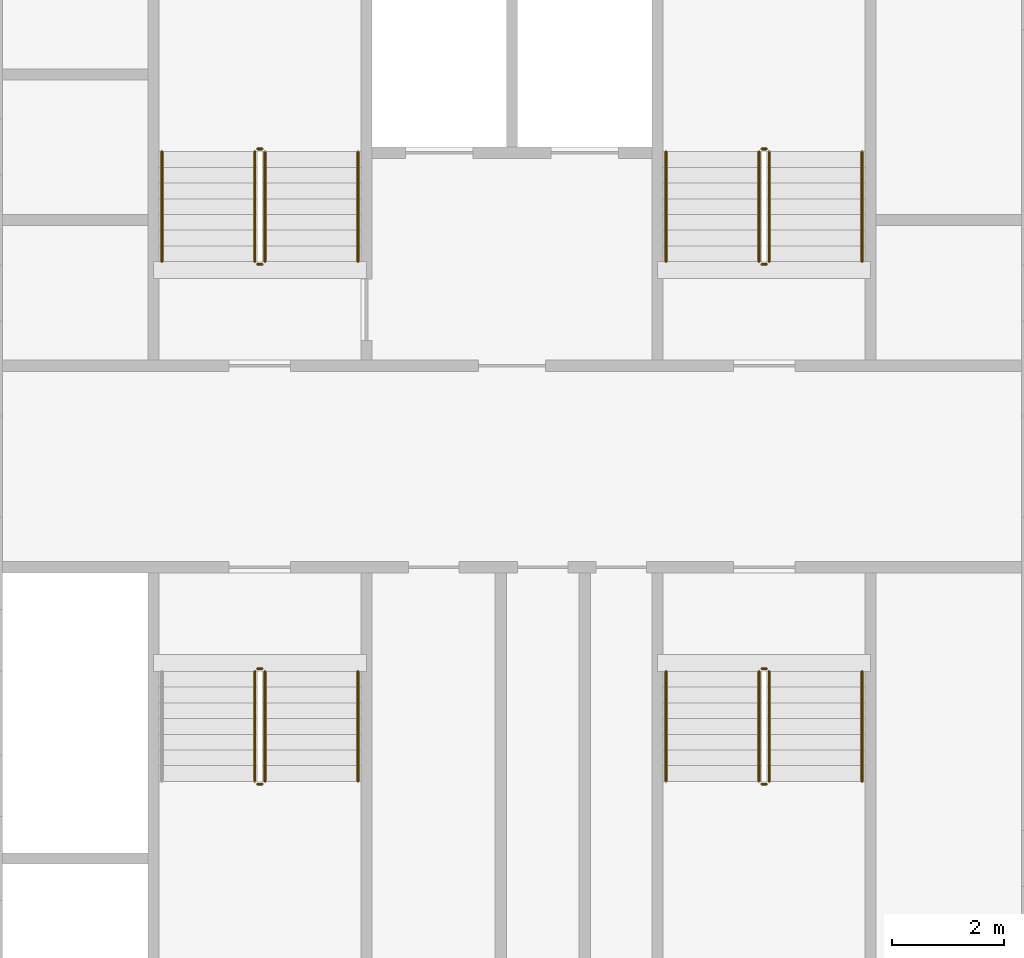
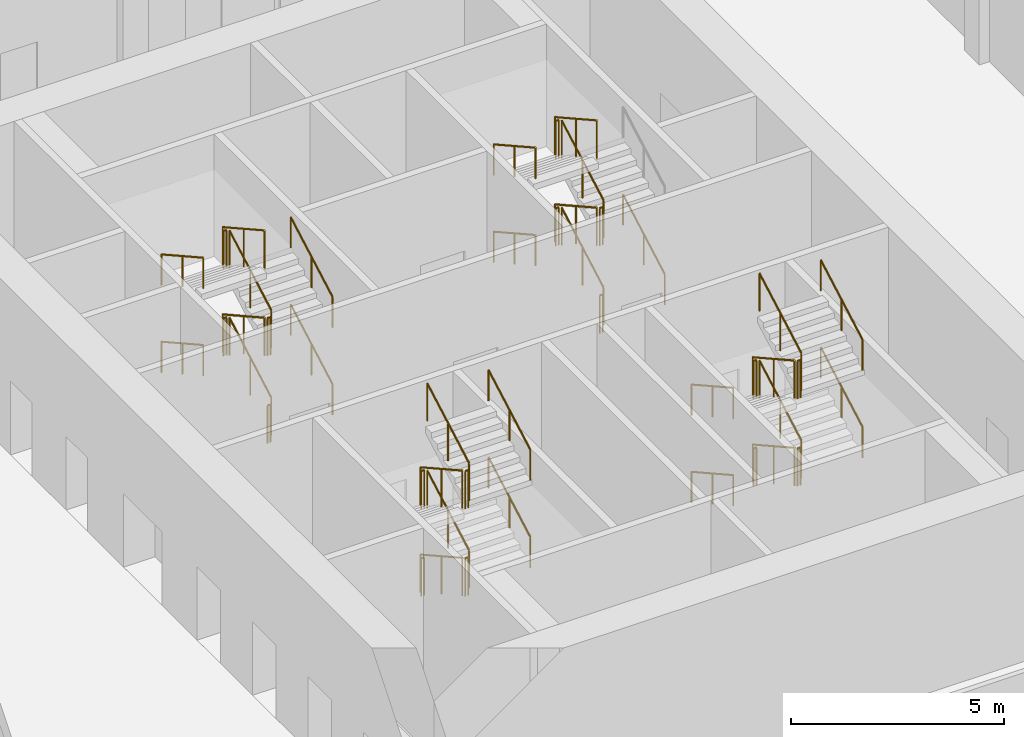
# One storey, part 20 of 22: 45 railings.
"""IFC4 building model written with IfcOpenShell, lengths in metres."""

from ifc_helpers import new_model, si_unit, direction, frame, origin, origin_2d, place, context, subcontext, project, spatial, circle, extrude, material, type_object, element, save


model = new_model("IFC4")

# Units and contexts
model_context = context("Model", 3, precision=1e-05, world=origin(), true_north=direction((0.0, 1.0)))
body_context = subcontext(model_context, "Body", "Model", "MODEL_VIEW")
ifc_project = project(units=[si_unit("LENGTHUNIT", "METRE"), si_unit("AREAUNIT", "SQUARE_METRE"), si_unit("VOLUMEUNIT", "CUBIC_METRE"), si_unit("PLANEANGLEUNIT", "RADIAN"), si_unit("MASSUNIT", "GRAM", prefix="KILO")], contexts=[model_context])

# Site, building, storey
site_placement = place(None, origin())
site = spatial("IfcSite", under=ifc_project, at=site_placement, CompositionType="ELEMENT")
building_placement = place(site_placement, origin())
building = spatial("IfcBuilding", under=site, at=building_placement, Name="Tarsis Ring Headquarters", CompositionType="ELEMENT")
storey_placement = place(building_placement, frame((0.0, 0.0, 25.0)))
storey = spatial("IfcBuildingStorey", under=building, at=storey_placement, Name="L04", CompositionType="ELEMENT", Elevation=25.0)

# Railings
ifc_material = material(Name="Steel S355", Category="steel")
railing_type_1 = type_object("IfcRailingType", Name="Core stair guard 1100", PredefinedType="GUARDRAIL", material=ifc_material)
railing_1_placement = place(storey_placement, frame((-4.409912109375, 3.659912109375, 0.15625)))
element("IfcRailing", 1, at=railing_1_placement, inside=storey, type_object=railing_type_1, Name="L04 ST1 stair guard 1", PredefinedType="GUARDRAIL", context=body_context, shape_type="SweptSolid", body=[
    extrude(circle(Radius=0.02392578125, at=origin_2d()), frame((0.0, 0.0, 1.076171875), z_axis=(0.0, 0.873257974695, 0.487258155017), x_axis=(-1.0, 0.0, 0.0)), (0.0, 0.0, 1.0), 2.24462890625),
    extrude(circle(Radius=0.02099609375, at=origin_2d()), origin(), (0.0, 0.0, 1.0), 1.052001953125),
    extrude(circle(Radius=0.02099609375, at=origin_2d()), frame((0.0, 0.97998046875, 0.546875)), (0.0, 0.0, 1.0), 1.052001953125),
    extrude(circle(Radius=0.02099609375, at=origin_2d()), frame((0.0, 1.960205078125, 1.09375)), (0.0, 0.0, 1.0), 1.052001953125),
])
railing_2_placement = place(storey_placement, frame((-4.4599609375, 5.669921875, 1.25)))
element("IfcRailing", 2, at=railing_2_placement, inside=storey, type_object=railing_type_1, Name="L04 ST1 stair guard 2", PredefinedType="GUARDRAIL", context=body_context, shape_type="SweptSolid", body=[
    extrude(circle(Radius=0.02392578125, at=origin_2d()), frame((0.0, 0.0, 1.076171875), z_axis=(-1.0, 0.0, 0.0), x_axis=(0.0, -1.0, 0.0)), (0.0, 0.0, 1.0), 0.080078125),
    extrude(circle(Radius=0.02099609375, at=origin_2d()), origin(), (0.0, 0.0, 1.0), 1.052001953125),
    extrude(circle(Radius=0.02099609375, at=origin_2d()), frame((-0.080078125, 0.0, 0.0)), (0.0, 0.0, 1.0), 1.052001953125),
])
railing_3_placement = place(storey_placement, frame((-4.590087890625, 5.6201171875, 1.40625)))
element("IfcRailing", 3, at=railing_3_placement, inside=storey, type_object=railing_type_1, Name="L04 ST1 stair guard 3", PredefinedType="GUARDRAIL", context=body_context, shape_type="SweptSolid", body=[
    extrude(circle(Radius=0.02392578125, at=origin_2d()), frame((0.0, 0.0, 1.076171875), z_axis=(0.0, -0.873257974695, 0.487258155017), x_axis=(1.0, 0.0, 0.0)), (0.0, 0.0, 1.0), 2.24462890625),
    extrude(circle(Radius=0.02099609375, at=origin_2d()), origin(), (0.0, 0.0, 1.0), 1.052001953125),
    extrude(circle(Radius=0.02099609375, at=origin_2d()), frame((0.0, -0.97998046875, 0.546875)), (0.0, 0.0, 1.0), 1.052001953125),
    extrude(circle(Radius=0.02099609375, at=origin_2d()), frame((0.0, -1.960205078125, 1.09375)), (0.0, 0.0, 1.0), 1.052001953125),
])
railing_4_placement = place(storey_placement, frame((-4.4599609375, 3.610107421875, 2.5)))
element("IfcRailing", 4, at=railing_4_placement, inside=storey, type_object=railing_type_1, Name="L04 ST1 stair guard 4", PredefinedType="GUARDRAIL", context=body_context, shape_type="SweptSolid", body=[
    extrude(circle(Radius=0.02392578125, at=origin_2d()), frame((0.0, 0.0, 1.076171875), z_axis=(-1.0, 0.0, 0.0), x_axis=(0.0, -1.0, 0.0)), (0.0, 0.0, 1.0), 0.080078125),
    extrude(circle(Radius=0.02099609375, at=origin_2d()), origin(), (0.0, 0.0, 1.0), 1.052001953125),
    extrude(circle(Radius=0.02099609375, at=origin_2d()), frame((-0.080078125, 0.0, 0.0)), (0.0, 0.0, 1.0), 1.052001953125),
])
railing_5_placement = place(storey_placement, frame((-4.409912109375, 3.659912109375, 2.65625)))
element("IfcRailing", 5, at=railing_5_placement, inside=storey, type_object=railing_type_1, Name="L04 ST1 stair guard 5", PredefinedType="GUARDRAIL", context=body_context, shape_type="SweptSolid", body=[
    extrude(circle(Radius=0.02392578125, at=origin_2d()), frame((0.0, 0.0, 1.076171875), z_axis=(0.0, 0.873257974695, 0.487258155017), x_axis=(-1.0, 0.0, 0.0)), (0.0, 0.0, 1.0), 2.24462890625),
    extrude(circle(Radius=0.02099609375, at=origin_2d()), origin(), (0.0, 0.0, 1.0), 1.052001953125),
    extrude(circle(Radius=0.02099609375, at=origin_2d()), frame((0.0, 0.97998046875, 0.546875)), (0.0, 0.0, 1.0), 1.052001953125),
    extrude(circle(Radius=0.02099609375, at=origin_2d()), frame((0.0, 1.960205078125, 1.09375)), (0.0, 0.0, 1.0), 1.052001953125),
])
railing_6_placement = place(storey_placement, frame((-4.4599609375, 5.669921875, 3.75)))
element("IfcRailing", 6, at=railing_6_placement, inside=storey, type_object=railing_type_1, Name="L04 ST1 stair guard 6", PredefinedType="GUARDRAIL", context=body_context, shape_type="SweptSolid", body=[
    extrude(circle(Radius=0.02392578125, at=origin_2d()), frame((0.0, 0.0, 1.076171875), z_axis=(-1.0, 0.0, 0.0), x_axis=(0.0, -1.0, 0.0)), (0.0, 0.0, 1.0), 0.080078125),
    extrude(circle(Radius=0.02099609375, at=origin_2d()), origin(), (0.0, 0.0, 1.0), 1.052001953125),
    extrude(circle(Radius=0.02099609375, at=origin_2d()), frame((-0.080078125, 0.0, 0.0)), (0.0, 0.0, 1.0), 1.052001953125),
])
railing_7_placement = place(storey_placement, frame((-4.590087890625, 5.6201171875, 3.90625)))
element("IfcRailing", 7, at=railing_7_placement, inside=storey, type_object=railing_type_1, Name="L04 ST1 stair guard 7", PredefinedType="GUARDRAIL", context=body_context, shape_type="SweptSolid", body=[
    extrude(circle(Radius=0.02392578125, at=origin_2d()), frame((0.0, 0.0, 1.076171875), z_axis=(0.0, -0.873257974695, 0.487258155017), x_axis=(1.0, 0.0, 0.0)), (0.0, 0.0, 1.0), 2.24462890625),
    extrude(circle(Radius=0.02099609375, at=origin_2d()), origin(), (0.0, 0.0, 1.0), 1.052001953125),
    extrude(circle(Radius=0.02099609375, at=origin_2d()), frame((0.0, -0.97998046875, 0.546875)), (0.0, 0.0, 1.0), 1.052001953125),
    extrude(circle(Radius=0.02099609375, at=origin_2d()), frame((0.0, -1.960205078125, 1.09375)), (0.0, 0.0, 1.0), 1.052001953125),
])
railing_8_placement = place(storey_placement, frame((-4.4599609375, 3.610107421875, 0.0)))
element("IfcRailing", 8, at=railing_8_placement, inside=storey, type_object=railing_type_1, Name="L04 ST1 stair guard 8", PredefinedType="GUARDRAIL", context=body_context, shape_type="SweptSolid", body=[
    extrude(circle(Radius=0.02392578125, at=origin_2d()), frame((0.0, 0.0, 1.076171875), z_axis=(-1.0, 0.0, 0.0), x_axis=(0.0, -1.0, 0.0)), (0.0, 0.0, 1.0), 0.080078125),
    extrude(circle(Radius=0.02099609375, at=origin_2d()), origin(), (0.0, 0.0, 1.0), 1.052001953125),
    extrude(circle(Radius=0.02099609375, at=origin_2d()), frame((-0.080078125, 0.0, 0.0)), (0.0, 0.0, 1.0), 1.052001953125),
])
railing_9_placement = place(storey_placement, frame((4.590087890625, 3.659912109375, 0.15625)))
element("IfcRailing", 9, at=railing_9_placement, inside=storey, type_object=railing_type_1, Name="L04 ST2 stair guard 1", PredefinedType="GUARDRAIL", context=body_context, shape_type="SweptSolid", body=[
    extrude(circle(Radius=0.02392578125, at=origin_2d()), frame((0.0, 0.0, 1.076171875), z_axis=(0.0, 0.873257974695, 0.487258155017), x_axis=(-1.0, 0.0, 0.0)), (0.0, 0.0, 1.0), 2.24462890625),
    extrude(circle(Radius=0.02099609375, at=origin_2d()), origin(), (0.0, 0.0, 1.0), 1.052001953125),
    extrude(circle(Radius=0.02099609375, at=origin_2d()), frame((0.0, 0.97998046875, 0.546875)), (0.0, 0.0, 1.0), 1.052001953125),
    extrude(circle(Radius=0.02099609375, at=origin_2d()), frame((0.0, 1.960205078125, 1.09375)), (0.0, 0.0, 1.0), 1.052001953125),
])
railing_10_placement = place(storey_placement, frame((4.5400390625, 5.669921875, 1.25)))
element("IfcRailing", 10, at=railing_10_placement, inside=storey, type_object=railing_type_1, Name="L04 ST2 stair guard 2", PredefinedType="GUARDRAIL", context=body_context, shape_type="SweptSolid", body=[
    extrude(circle(Radius=0.02392578125, at=origin_2d()), frame((0.0, 0.0, 1.076171875), z_axis=(-1.0, 0.0, 0.0), x_axis=(0.0, -1.0, 0.0)), (0.0, 0.0, 1.0), 0.080078125),
    extrude(circle(Radius=0.02099609375, at=origin_2d()), origin(), (0.0, 0.0, 1.0), 1.052001953125),
    extrude(circle(Radius=0.02099609375, at=origin_2d()), frame((-0.080078125, 0.0, 0.0)), (0.0, 0.0, 1.0), 1.052001953125),
])
railing_11_placement = place(storey_placement, frame((4.409912109375, 5.6201171875, 1.40625)))
element("IfcRailing", 11, at=railing_11_placement, inside=storey, type_object=railing_type_1, Name="L04 ST2 stair guard 3", PredefinedType="GUARDRAIL", context=body_context, shape_type="SweptSolid", body=[
    extrude(circle(Radius=0.02392578125, at=origin_2d()), frame((0.0, 0.0, 1.076171875), z_axis=(0.0, -0.873257974695, 0.487258155017), x_axis=(1.0, 0.0, 0.0)), (0.0, 0.0, 1.0), 2.24462890625),
    extrude(circle(Radius=0.02099609375, at=origin_2d()), origin(), (0.0, 0.0, 1.0), 1.052001953125),
    extrude(circle(Radius=0.02099609375, at=origin_2d()), frame((0.0, -0.97998046875, 0.546875)), (0.0, 0.0, 1.0), 1.052001953125),
    extrude(circle(Radius=0.02099609375, at=origin_2d()), frame((0.0, -1.960205078125, 1.09375)), (0.0, 0.0, 1.0), 1.052001953125),
])
railing_12_placement = place(storey_placement, frame((4.5400390625, 3.610107421875, 2.5)))
element("IfcRailing", 12, at=railing_12_placement, inside=storey, type_object=railing_type_1, Name="L04 ST2 stair guard 4", PredefinedType="GUARDRAIL", context=body_context, shape_type="SweptSolid", body=[
    extrude(circle(Radius=0.02392578125, at=origin_2d()), frame((0.0, 0.0, 1.076171875), z_axis=(-1.0, 0.0, 0.0), x_axis=(0.0, -1.0, 0.0)), (0.0, 0.0, 1.0), 0.080078125),
    extrude(circle(Radius=0.02099609375, at=origin_2d()), origin(), (0.0, 0.0, 1.0), 1.052001953125),
    extrude(circle(Radius=0.02099609375, at=origin_2d()), frame((-0.080078125, 0.0, 0.0)), (0.0, 0.0, 1.0), 1.052001953125),
])
railing_13_placement = place(storey_placement, frame((4.590087890625, 3.659912109375, 2.65625)))
element("IfcRailing", 13, at=railing_13_placement, inside=storey, type_object=railing_type_1, Name="L04 ST2 stair guard 5", PredefinedType="GUARDRAIL", context=body_context, shape_type="SweptSolid", body=[
    extrude(circle(Radius=0.02392578125, at=origin_2d()), frame((0.0, 0.0, 1.076171875), z_axis=(0.0, 0.873257974695, 0.487258155017), x_axis=(-1.0, 0.0, 0.0)), (0.0, 0.0, 1.0), 2.24462890625),
    extrude(circle(Radius=0.02099609375, at=origin_2d()), origin(), (0.0, 0.0, 1.0), 1.052001953125),
    extrude(circle(Radius=0.02099609375, at=origin_2d()), frame((0.0, 0.97998046875, 0.546875)), (0.0, 0.0, 1.0), 1.052001953125),
    extrude(circle(Radius=0.02099609375, at=origin_2d()), frame((0.0, 1.960205078125, 1.09375)), (0.0, 0.0, 1.0), 1.052001953125),
])
railing_14_placement = place(storey_placement, frame((4.5400390625, 5.669921875, 3.75)))
element("IfcRailing", 14, at=railing_14_placement, inside=storey, type_object=railing_type_1, Name="L04 ST2 stair guard 6", PredefinedType="GUARDRAIL", context=body_context, shape_type="SweptSolid", body=[
    extrude(circle(Radius=0.02392578125, at=origin_2d()), frame((0.0, 0.0, 1.076171875), z_axis=(-1.0, 0.0, 0.0), x_axis=(0.0, -1.0, 0.0)), (0.0, 0.0, 1.0), 0.080078125),
    extrude(circle(Radius=0.02099609375, at=origin_2d()), origin(), (0.0, 0.0, 1.0), 1.052001953125),
    extrude(circle(Radius=0.02099609375, at=origin_2d()), frame((-0.080078125, 0.0, 0.0)), (0.0, 0.0, 1.0), 1.052001953125),
])
railing_15_placement = place(storey_placement, frame((4.409912109375, 5.6201171875, 3.90625)))
element("IfcRailing", 15, at=railing_15_placement, inside=storey, type_object=railing_type_1, Name="L04 ST2 stair guard 7", PredefinedType="GUARDRAIL", context=body_context, shape_type="SweptSolid", body=[
    extrude(circle(Radius=0.02392578125, at=origin_2d()), frame((0.0, 0.0, 1.076171875), z_axis=(0.0, -0.873257974695, 0.487258155017), x_axis=(1.0, 0.0, 0.0)), (0.0, 0.0, 1.0), 2.24462890625),
    extrude(circle(Radius=0.02099609375, at=origin_2d()), origin(), (0.0, 0.0, 1.0), 1.052001953125),
    extrude(circle(Radius=0.02099609375, at=origin_2d()), frame((0.0, -0.97998046875, 0.546875)), (0.0, 0.0, 1.0), 1.052001953125),
    extrude(circle(Radius=0.02099609375, at=origin_2d()), frame((0.0, -1.960205078125, 1.09375)), (0.0, 0.0, 1.0), 1.052001953125),
])
railing_16_placement = place(storey_placement, frame((4.5400390625, 3.610107421875, 0.0)))
element("IfcRailing", 16, at=railing_16_placement, inside=storey, type_object=railing_type_1, Name="L04 ST2 stair guard 8", PredefinedType="GUARDRAIL", context=body_context, shape_type="SweptSolid", body=[
    extrude(circle(Radius=0.02392578125, at=origin_2d()), frame((0.0, 0.0, 1.076171875), z_axis=(-1.0, 0.0, 0.0), x_axis=(0.0, -1.0, 0.0)), (0.0, 0.0, 1.0), 0.080078125),
    extrude(circle(Radius=0.02099609375, at=origin_2d()), origin(), (0.0, 0.0, 1.0), 1.052001953125),
    extrude(circle(Radius=0.02099609375, at=origin_2d()), frame((-0.080078125, 0.0, 0.0)), (0.0, 0.0, 1.0), 1.052001953125),
])
railing_17_placement = place(storey_placement, frame((-4.590087890625, -3.659912109375, 0.15625)))
element("IfcRailing", 17, at=railing_17_placement, inside=storey, type_object=railing_type_1, Name="L04 ST3 stair guard 1", PredefinedType="GUARDRAIL", context=body_context, shape_type="SweptSolid", body=[
    extrude(circle(Radius=0.02392578125, at=origin_2d()), frame((0.0, 0.0, 1.076171875), z_axis=(0.0, -0.873257974695, 0.487258155017), x_axis=(1.0, 0.0, 0.0)), (0.0, 0.0, 1.0), 2.24462890625),
    extrude(circle(Radius=0.02099609375, at=origin_2d()), origin(), (0.0, 0.0, 1.0), 1.052001953125),
    extrude(circle(Radius=0.02099609375, at=origin_2d()), frame((0.0, -0.97998046875, 0.546875)), (0.0, 0.0, 1.0), 1.052001953125),
    extrude(circle(Radius=0.02099609375, at=origin_2d()), frame((0.0, -1.960205078125, 1.09375)), (0.0, 0.0, 1.0), 1.052001953125),
])
railing_18_placement = place(storey_placement, frame((-4.5400390625, -5.669921875, 1.25)))
element("IfcRailing", 18, at=railing_18_placement, inside=storey, type_object=railing_type_1, Name="L04 ST3 stair guard 2", PredefinedType="GUARDRAIL", context=body_context, shape_type="SweptSolid", body=[
    extrude(circle(Radius=0.02392578125, at=origin_2d()), frame((0.0, 0.0, 1.076171875), z_axis=(1.0, 0.0, 0.0), x_axis=(0.0, 1.0, 0.0)), (0.0, 0.0, 1.0), 0.080078125),
    extrude(circle(Radius=0.02099609375, at=origin_2d()), origin(), (0.0, 0.0, 1.0), 1.052001953125),
    extrude(circle(Radius=0.02099609375, at=origin_2d()), frame((0.080078125, 0.0, 0.0)), (0.0, 0.0, 1.0), 1.052001953125),
])
railing_19_placement = place(storey_placement, frame((-4.409912109375, -5.6201171875, 1.40625)))
element("IfcRailing", 19, at=railing_19_placement, inside=storey, type_object=railing_type_1, Name="L04 ST3 stair guard 3", PredefinedType="GUARDRAIL", context=body_context, shape_type="SweptSolid", body=[
    extrude(circle(Radius=0.02392578125, at=origin_2d()), frame((0.0, 0.0, 1.076171875), z_axis=(0.0, 0.873257974695, 0.487258155017), x_axis=(-1.0, 0.0, 0.0)), (0.0, 0.0, 1.0), 2.24462890625),
    extrude(circle(Radius=0.02099609375, at=origin_2d()), origin(), (0.0, 0.0, 1.0), 1.052001953125),
    extrude(circle(Radius=0.02099609375, at=origin_2d()), frame((0.0, 0.97998046875, 0.546875)), (0.0, 0.0, 1.0), 1.052001953125),
    extrude(circle(Radius=0.02099609375, at=origin_2d()), frame((0.0, 1.960205078125, 1.09375)), (0.0, 0.0, 1.0), 1.052001953125),
])
railing_20_placement = place(storey_placement, frame((-4.5400390625, -3.610107421875, 2.5)))
element("IfcRailing", 20, at=railing_20_placement, inside=storey, type_object=railing_type_1, Name="L04 ST3 stair guard 4", PredefinedType="GUARDRAIL", context=body_context, shape_type="SweptSolid", body=[
    extrude(circle(Radius=0.02392578125, at=origin_2d()), frame((0.0, 0.0, 1.076171875), z_axis=(1.0, 0.0, 0.0), x_axis=(0.0, 1.0, 0.0)), (0.0, 0.0, 1.0), 0.080078125),
    extrude(circle(Radius=0.02099609375, at=origin_2d()), origin(), (0.0, 0.0, 1.0), 1.052001953125),
    extrude(circle(Radius=0.02099609375, at=origin_2d()), frame((0.080078125, 0.0, 0.0)), (0.0, 0.0, 1.0), 1.052001953125),
])
railing_21_placement = place(storey_placement, frame((-4.590087890625, -3.659912109375, 2.65625)))
element("IfcRailing", 21, at=railing_21_placement, inside=storey, type_object=railing_type_1, Name="L04 ST3 stair guard 5", PredefinedType="GUARDRAIL", context=body_context, shape_type="SweptSolid", body=[
    extrude(circle(Radius=0.02392578125, at=origin_2d()), frame((0.0, 0.0, 1.076171875), z_axis=(0.0, -0.873257974695, 0.487258155017), x_axis=(1.0, 0.0, 0.0)), (0.0, 0.0, 1.0), 2.24462890625),
    extrude(circle(Radius=0.02099609375, at=origin_2d()), origin(), (0.0, 0.0, 1.0), 1.052001953125),
    extrude(circle(Radius=0.02099609375, at=origin_2d()), frame((0.0, -0.97998046875, 0.546875)), (0.0, 0.0, 1.0), 1.052001953125),
    extrude(circle(Radius=0.02099609375, at=origin_2d()), frame((0.0, -1.960205078125, 1.09375)), (0.0, 0.0, 1.0), 1.052001953125),
])
railing_22_placement = place(storey_placement, frame((-4.5400390625, -5.669921875, 3.75)))
element("IfcRailing", 22, at=railing_22_placement, inside=storey, type_object=railing_type_1, Name="L04 ST3 stair guard 6", PredefinedType="GUARDRAIL", context=body_context, shape_type="SweptSolid", body=[
    extrude(circle(Radius=0.02392578125, at=origin_2d()), frame((0.0, 0.0, 1.076171875), z_axis=(1.0, 0.0, 0.0), x_axis=(0.0, 1.0, 0.0)), (0.0, 0.0, 1.0), 0.080078125),
    extrude(circle(Radius=0.02099609375, at=origin_2d()), origin(), (0.0, 0.0, 1.0), 1.052001953125),
    extrude(circle(Radius=0.02099609375, at=origin_2d()), frame((0.080078125, 0.0, 0.0)), (0.0, 0.0, 1.0), 1.052001953125),
])
railing_23_placement = place(storey_placement, frame((-4.409912109375, -5.6201171875, 3.90625)))
element("IfcRailing", 23, at=railing_23_placement, inside=storey, type_object=railing_type_1, Name="L04 ST3 stair guard 7", PredefinedType="GUARDRAIL", context=body_context, shape_type="SweptSolid", body=[
    extrude(circle(Radius=0.02392578125, at=origin_2d()), frame((0.0, 0.0, 1.076171875), z_axis=(0.0, 0.873257974695, 0.487258155017), x_axis=(-1.0, 0.0, 0.0)), (0.0, 0.0, 1.0), 2.24462890625),
    extrude(circle(Radius=0.02099609375, at=origin_2d()), origin(), (0.0, 0.0, 1.0), 1.052001953125),
    extrude(circle(Radius=0.02099609375, at=origin_2d()), frame((0.0, 0.97998046875, 0.546875)), (0.0, 0.0, 1.0), 1.052001953125),
    extrude(circle(Radius=0.02099609375, at=origin_2d()), frame((0.0, 1.960205078125, 1.09375)), (0.0, 0.0, 1.0), 1.052001953125),
])
railing_24_placement = place(storey_placement, frame((-4.5400390625, -3.610107421875, 0.0)))
element("IfcRailing", 24, at=railing_24_placement, inside=storey, type_object=railing_type_1, Name="L04 ST3 stair guard 8", PredefinedType="GUARDRAIL", context=body_context, shape_type="SweptSolid", body=[
    extrude(circle(Radius=0.02392578125, at=origin_2d()), frame((0.0, 0.0, 1.076171875), z_axis=(1.0, 0.0, 0.0), x_axis=(0.0, 1.0, 0.0)), (0.0, 0.0, 1.0), 0.080078125),
    extrude(circle(Radius=0.02099609375, at=origin_2d()), origin(), (0.0, 0.0, 1.0), 1.052001953125),
    extrude(circle(Radius=0.02099609375, at=origin_2d()), frame((0.080078125, 0.0, 0.0)), (0.0, 0.0, 1.0), 1.052001953125),
])
railing_25_placement = place(storey_placement, frame((4.409912109375, -3.659912109375, 0.15625)))
element("IfcRailing", 25, at=railing_25_placement, inside=storey, type_object=railing_type_1, Name="L04 ST4 stair guard 1", PredefinedType="GUARDRAIL", context=body_context, shape_type="SweptSolid", body=[
    extrude(circle(Radius=0.02392578125, at=origin_2d()), frame((0.0, 0.0, 1.076171875), z_axis=(0.0, -0.873257974695, 0.487258155017), x_axis=(1.0, 0.0, 0.0)), (0.0, 0.0, 1.0), 2.24462890625),
    extrude(circle(Radius=0.02099609375, at=origin_2d()), origin(), (0.0, 0.0, 1.0), 1.052001953125),
    extrude(circle(Radius=0.02099609375, at=origin_2d()), frame((0.0, -0.97998046875, 0.546875)), (0.0, 0.0, 1.0), 1.052001953125),
    extrude(circle(Radius=0.02099609375, at=origin_2d()), frame((0.0, -1.960205078125, 1.09375)), (0.0, 0.0, 1.0), 1.052001953125),
])
railing_26_placement = place(storey_placement, frame((4.4599609375, -5.669921875, 1.25)))
element("IfcRailing", 26, at=railing_26_placement, inside=storey, type_object=railing_type_1, Name="L04 ST4 stair guard 2", PredefinedType="GUARDRAIL", context=body_context, shape_type="SweptSolid", body=[
    extrude(circle(Radius=0.02392578125, at=origin_2d()), frame((0.0, 0.0, 1.076171875), z_axis=(1.0, 0.0, 0.0), x_axis=(0.0, 1.0, 0.0)), (0.0, 0.0, 1.0), 0.080078125),
    extrude(circle(Radius=0.02099609375, at=origin_2d()), origin(), (0.0, 0.0, 1.0), 1.052001953125),
    extrude(circle(Radius=0.02099609375, at=origin_2d()), frame((0.080078125, 0.0, 0.0)), (0.0, 0.0, 1.0), 1.052001953125),
])
railing_27_placement = place(storey_placement, frame((4.590087890625, -5.6201171875, 1.40625)))
element("IfcRailing", 27, at=railing_27_placement, inside=storey, type_object=railing_type_1, Name="L04 ST4 stair guard 3", PredefinedType="GUARDRAIL", context=body_context, shape_type="SweptSolid", body=[
    extrude(circle(Radius=0.02392578125, at=origin_2d()), frame((0.0, 0.0, 1.076171875), z_axis=(0.0, 0.873257974695, 0.487258155017), x_axis=(-1.0, 0.0, 0.0)), (0.0, 0.0, 1.0), 2.24462890625),
    extrude(circle(Radius=0.02099609375, at=origin_2d()), origin(), (0.0, 0.0, 1.0), 1.052001953125),
    extrude(circle(Radius=0.02099609375, at=origin_2d()), frame((0.0, 0.97998046875, 0.546875)), (0.0, 0.0, 1.0), 1.052001953125),
    extrude(circle(Radius=0.02099609375, at=origin_2d()), frame((0.0, 1.960205078125, 1.09375)), (0.0, 0.0, 1.0), 1.052001953125),
])
railing_28_placement = place(storey_placement, frame((4.4599609375, -3.610107421875, 2.5)))
element("IfcRailing", 28, at=railing_28_placement, inside=storey, type_object=railing_type_1, Name="L04 ST4 stair guard 4", PredefinedType="GUARDRAIL", context=body_context, shape_type="SweptSolid", body=[
    extrude(circle(Radius=0.02392578125, at=origin_2d()), frame((0.0, 0.0, 1.076171875), z_axis=(1.0, 0.0, 0.0), x_axis=(0.0, 1.0, 0.0)), (0.0, 0.0, 1.0), 0.080078125),
    extrude(circle(Radius=0.02099609375, at=origin_2d()), origin(), (0.0, 0.0, 1.0), 1.052001953125),
    extrude(circle(Radius=0.02099609375, at=origin_2d()), frame((0.080078125, 0.0, 0.0)), (0.0, 0.0, 1.0), 1.052001953125),
])
railing_29_placement = place(storey_placement, frame((4.409912109375, -3.659912109375, 2.65625)))
element("IfcRailing", 29, at=railing_29_placement, inside=storey, type_object=railing_type_1, Name="L04 ST4 stair guard 5", PredefinedType="GUARDRAIL", context=body_context, shape_type="SweptSolid", body=[
    extrude(circle(Radius=0.02392578125, at=origin_2d()), frame((0.0, 0.0, 1.076171875), z_axis=(0.0, -0.873257974695, 0.487258155017), x_axis=(1.0, 0.0, 0.0)), (0.0, 0.0, 1.0), 2.24462890625),
    extrude(circle(Radius=0.02099609375, at=origin_2d()), origin(), (0.0, 0.0, 1.0), 1.052001953125),
    extrude(circle(Radius=0.02099609375, at=origin_2d()), frame((0.0, -0.97998046875, 0.546875)), (0.0, 0.0, 1.0), 1.052001953125),
    extrude(circle(Radius=0.02099609375, at=origin_2d()), frame((0.0, -1.960205078125, 1.09375)), (0.0, 0.0, 1.0), 1.052001953125),
])
railing_30_placement = place(storey_placement, frame((4.4599609375, -5.669921875, 3.75)))
element("IfcRailing", 30, at=railing_30_placement, inside=storey, type_object=railing_type_1, Name="L04 ST4 stair guard 6", PredefinedType="GUARDRAIL", context=body_context, shape_type="SweptSolid", body=[
    extrude(circle(Radius=0.02392578125, at=origin_2d()), frame((0.0, 0.0, 1.076171875), z_axis=(1.0, 0.0, 0.0), x_axis=(0.0, 1.0, 0.0)), (0.0, 0.0, 1.0), 0.080078125),
    extrude(circle(Radius=0.02099609375, at=origin_2d()), origin(), (0.0, 0.0, 1.0), 1.052001953125),
    extrude(circle(Radius=0.02099609375, at=origin_2d()), frame((0.080078125, 0.0, 0.0)), (0.0, 0.0, 1.0), 1.052001953125),
])
railing_31_placement = place(storey_placement, frame((4.590087890625, -5.6201171875, 3.90625)))
element("IfcRailing", 31, at=railing_31_placement, inside=storey, type_object=railing_type_1, Name="L04 ST4 stair guard 7", PredefinedType="GUARDRAIL", context=body_context, shape_type="SweptSolid", body=[
    extrude(circle(Radius=0.02392578125, at=origin_2d()), frame((0.0, 0.0, 1.076171875), z_axis=(0.0, 0.873257974695, 0.487258155017), x_axis=(-1.0, 0.0, 0.0)), (0.0, 0.0, 1.0), 2.24462890625),
    extrude(circle(Radius=0.02099609375, at=origin_2d()), origin(), (0.0, 0.0, 1.0), 1.052001953125),
    extrude(circle(Radius=0.02099609375, at=origin_2d()), frame((0.0, 0.97998046875, 0.546875)), (0.0, 0.0, 1.0), 1.052001953125),
    extrude(circle(Radius=0.02099609375, at=origin_2d()), frame((0.0, 1.960205078125, 1.09375)), (0.0, 0.0, 1.0), 1.052001953125),
])
railing_32_placement = place(storey_placement, frame((4.4599609375, -3.610107421875, 0.0)))
element("IfcRailing", 32, at=railing_32_placement, inside=storey, type_object=railing_type_1, Name="L04 ST4 stair guard 8", PredefinedType="GUARDRAIL", context=body_context, shape_type="SweptSolid", body=[
    extrude(circle(Radius=0.02392578125, at=origin_2d()), frame((0.0, 0.0, 1.076171875), z_axis=(1.0, 0.0, 0.0), x_axis=(0.0, 1.0, 0.0)), (0.0, 0.0, 1.0), 0.080078125),
    extrude(circle(Radius=0.02099609375, at=origin_2d()), origin(), (0.0, 0.0, 1.0), 1.052001953125),
    extrude(circle(Radius=0.02099609375, at=origin_2d()), frame((0.080078125, 0.0, 0.0)), (0.0, 0.0, 1.0), 1.052001953125),
])
railing_type_2 = type_object("IfcRailingType", Name="Core stair handrail 900", PredefinedType="HANDRAIL", material=ifc_material)
railing_33_placement = place(storey_placement, frame((-2.75, 3.659912109375, 0.15625)))
element("IfcRailing", 33, at=railing_33_placement, inside=storey, type_object=railing_type_2, Name="L04 ST1 stair handrail 1", PredefinedType="HANDRAIL", context=body_context, shape_type="SweptSolid", body=[
    extrude(circle(Radius=0.02392578125, at=origin_2d()), frame((0.0, 0.0, 0.8759765625), z_axis=(0.0, 0.873257974695, 0.487258155017), x_axis=(-1.0, 0.0, 0.0)), (0.0, 0.0, 1.0), 2.24462890625),
    extrude(circle(Radius=0.02099609375, at=origin_2d()), origin(), (0.0, 0.0, 1.0), 0.851806640625),
    extrude(circle(Radius=0.02099609375, at=origin_2d()), frame((0.0, 0.97998046875, 0.546875)), (0.0, 0.0, 1.0), 0.851806640625),
    extrude(circle(Radius=0.02099609375, at=origin_2d()), frame((0.0, 1.960205078125, 1.09375)), (0.0, 0.0, 1.0), 0.851806640625),
])
railing_34_placement = place(storey_placement, frame((-6.25, 5.6201171875, 1.40625)))
element("IfcRailing", 34, at=railing_34_placement, inside=storey, type_object=railing_type_2, Name="L04 ST1 stair handrail 2", PredefinedType="HANDRAIL", context=body_context, shape_type="SweptSolid", body=[
    extrude(circle(Radius=0.02392578125, at=origin_2d()), frame((0.0, 0.0, 0.8759765625), z_axis=(0.0, -0.873257974695, 0.487258155017), x_axis=(1.0, 0.0, 0.0)), (0.0, 0.0, 1.0), 2.24462890625),
    extrude(circle(Radius=0.02099609375, at=origin_2d()), origin(), (0.0, 0.0, 1.0), 0.851806640625),
    extrude(circle(Radius=0.02099609375, at=origin_2d()), frame((0.0, -0.97998046875, 0.546875)), (0.0, 0.0, 1.0), 0.851806640625),
    extrude(circle(Radius=0.02099609375, at=origin_2d()), frame((0.0, -1.960205078125, 1.09375)), (0.0, 0.0, 1.0), 0.851806640625),
])
railing_35_placement = place(storey_placement, frame((-2.75, 3.659912109375, 2.65625)))
element("IfcRailing", 35, at=railing_35_placement, inside=storey, type_object=railing_type_2, Name="L04 ST1 stair handrail 3", PredefinedType="HANDRAIL", context=body_context, shape_type="SweptSolid", body=[
    extrude(circle(Radius=0.02392578125, at=origin_2d()), frame((0.0, 0.0, 0.8759765625), z_axis=(0.0, 0.873257974695, 0.487258155017), x_axis=(-1.0, 0.0, 0.0)), (0.0, 0.0, 1.0), 2.24462890625),
    extrude(circle(Radius=0.02099609375, at=origin_2d()), origin(), (0.0, 0.0, 1.0), 0.851806640625),
    extrude(circle(Radius=0.02099609375, at=origin_2d()), frame((0.0, 0.97998046875, 0.546875)), (0.0, 0.0, 1.0), 0.851806640625),
    extrude(circle(Radius=0.02099609375, at=origin_2d()), frame((0.0, 1.960205078125, 1.09375)), (0.0, 0.0, 1.0), 0.851806640625),
])
railing_36_placement = place(storey_placement, frame((-6.25, 5.6201171875, 3.90625)))
element("IfcRailing", 36, at=railing_36_placement, inside=storey, type_object=railing_type_2, Name="L04 ST1 stair handrail 4", PredefinedType="HANDRAIL", context=body_context, shape_type="SweptSolid", body=[
    extrude(circle(Radius=0.02392578125, at=origin_2d()), frame((0.0, 0.0, 0.8759765625), z_axis=(0.0, -0.873257974695, 0.487258155017), x_axis=(1.0, 0.0, 0.0)), (0.0, 0.0, 1.0), 2.24462890625),
    extrude(circle(Radius=0.02099609375, at=origin_2d()), origin(), (0.0, 0.0, 1.0), 0.851806640625),
    extrude(circle(Radius=0.02099609375, at=origin_2d()), frame((0.0, -0.97998046875, 0.546875)), (0.0, 0.0, 1.0), 0.851806640625),
    extrude(circle(Radius=0.02099609375, at=origin_2d()), frame((0.0, -1.960205078125, 1.09375)), (0.0, 0.0, 1.0), 0.851806640625),
])
railing_37_placement = place(storey_placement, frame((6.25, 3.659912109375, 0.15625)))
element("IfcRailing", 37, at=railing_37_placement, inside=storey, type_object=railing_type_2, Name="L04 ST2 stair handrail 1", PredefinedType="HANDRAIL", context=body_context, shape_type="SweptSolid", body=[
    extrude(circle(Radius=0.02392578125, at=origin_2d()), frame((0.0, 0.0, 0.8759765625), z_axis=(0.0, 0.873257974695, 0.487258155017), x_axis=(-1.0, 0.0, 0.0)), (0.0, 0.0, 1.0), 2.24462890625),
    extrude(circle(Radius=0.02099609375, at=origin_2d()), origin(), (0.0, 0.0, 1.0), 0.851806640625),
    extrude(circle(Radius=0.02099609375, at=origin_2d()), frame((0.0, 0.97998046875, 0.546875)), (0.0, 0.0, 1.0), 0.851806640625),
    extrude(circle(Radius=0.02099609375, at=origin_2d()), frame((0.0, 1.960205078125, 1.09375)), (0.0, 0.0, 1.0), 0.851806640625),
])
for number, where, name in (
    (38, (2.75, 5.6201171875, 1.40625), "L04 ST2 stair handrail 2"),
    (39, (2.75, 5.6201171875, 3.90625), "L04 ST2 stair handrail 4"),
):
    element("IfcRailing", number, at=place(storey_placement, frame(where)), inside=storey, type_object=railing_type_2, Name=name, PredefinedType="HANDRAIL", context=body_context, shape_type="SweptSolid", body=[
        extrude(circle(Radius=0.02392578125, at=origin_2d()), frame((0.0, 0.0, 0.8759765625), z_axis=(0.0, -0.873257974695, 0.487258155017), x_axis=(1.0, 0.0, 0.0)), (0.0, 0.0, 1.0), 2.24462890625),
        extrude(circle(Radius=0.02099609375, at=origin_2d()), origin(), (0.0, 0.0, 1.0), 0.851806640625),
        extrude(circle(Radius=0.02099609375, at=origin_2d()), frame((0.0, -0.97998046875, 0.546875)), (0.0, 0.0, 1.0), 0.851806640625),
        extrude(circle(Radius=0.02099609375, at=origin_2d()), frame((0.0, -1.960205078125, 1.09375)), (0.0, 0.0, 1.0), 0.851806640625),
    ])
for number, where, name in (
    (40, (-2.75, -5.6201171875, 1.40625), "L04 ST3 stair handrail 2"),
    (41, (-2.75, -5.6201171875, 3.90625), "L04 ST3 stair handrail 4"),
):
    element("IfcRailing", number, at=place(storey_placement, frame(where)), inside=storey, type_object=railing_type_2, Name=name, PredefinedType="HANDRAIL", context=body_context, shape_type="SweptSolid", body=[
        extrude(circle(Radius=0.02392578125, at=origin_2d()), frame((0.0, 0.0, 0.8759765625), z_axis=(0.0, 0.873257974695, 0.487258155017), x_axis=(-1.0, 0.0, 0.0)), (0.0, 0.0, 1.0), 2.24462890625),
        extrude(circle(Radius=0.02099609375, at=origin_2d()), origin(), (0.0, 0.0, 1.0), 0.851806640625),
        extrude(circle(Radius=0.02099609375, at=origin_2d()), frame((0.0, 0.97998046875, 0.546875)), (0.0, 0.0, 1.0), 0.851806640625),
        extrude(circle(Radius=0.02099609375, at=origin_2d()), frame((0.0, 1.960205078125, 1.09375)), (0.0, 0.0, 1.0), 0.851806640625),
    ])
railing_38_placement = place(storey_placement, frame((2.75, -3.659912109375, 0.15625)))
element("IfcRailing", 42, at=railing_38_placement, inside=storey, type_object=railing_type_2, Name="L04 ST4 stair handrail 1", PredefinedType="HANDRAIL", context=body_context, shape_type="SweptSolid", body=[
    extrude(circle(Radius=0.02392578125, at=origin_2d()), frame((0.0, 0.0, 0.8759765625), z_axis=(0.0, -0.873257974695, 0.487258155017), x_axis=(1.0, 0.0, 0.0)), (0.0, 0.0, 1.0), 2.24462890625),
    extrude(circle(Radius=0.02099609375, at=origin_2d()), origin(), (0.0, 0.0, 1.0), 0.851806640625),
    extrude(circle(Radius=0.02099609375, at=origin_2d()), frame((0.0, -0.97998046875, 0.546875)), (0.0, 0.0, 1.0), 0.851806640625),
    extrude(circle(Radius=0.02099609375, at=origin_2d()), frame((0.0, -1.960205078125, 1.09375)), (0.0, 0.0, 1.0), 0.851806640625),
])
railing_39_placement = place(storey_placement, frame((6.25, -5.6201171875, 1.40625)))
element("IfcRailing", 43, at=railing_39_placement, inside=storey, type_object=railing_type_2, Name="L04 ST4 stair handrail 2", PredefinedType="HANDRAIL", context=body_context, shape_type="SweptSolid", body=[
    extrude(circle(Radius=0.02392578125, at=origin_2d()), frame((0.0, 0.0, 0.8759765625), z_axis=(0.0, 0.873257974695, 0.487258155017), x_axis=(-1.0, 0.0, 0.0)), (0.0, 0.0, 1.0), 2.24462890625),
    extrude(circle(Radius=0.02099609375, at=origin_2d()), origin(), (0.0, 0.0, 1.0), 0.851806640625),
    extrude(circle(Radius=0.02099609375, at=origin_2d()), frame((0.0, 0.97998046875, 0.546875)), (0.0, 0.0, 1.0), 0.851806640625),
    extrude(circle(Radius=0.02099609375, at=origin_2d()), frame((0.0, 1.960205078125, 1.09375)), (0.0, 0.0, 1.0), 0.851806640625),
])
railing_40_placement = place(storey_placement, frame((2.75, -3.659912109375, 2.65625)))
element("IfcRailing", 44, at=railing_40_placement, inside=storey, type_object=railing_type_2, Name="L04 ST4 stair handrail 3", PredefinedType="HANDRAIL", context=body_context, shape_type="SweptSolid", body=[
    extrude(circle(Radius=0.02392578125, at=origin_2d()), frame((0.0, 0.0, 0.8759765625), z_axis=(0.0, -0.873257974695, 0.487258155017), x_axis=(1.0, 0.0, 0.0)), (0.0, 0.0, 1.0), 2.24462890625),
    extrude(circle(Radius=0.02099609375, at=origin_2d()), origin(), (0.0, 0.0, 1.0), 0.851806640625),
    extrude(circle(Radius=0.02099609375, at=origin_2d()), frame((0.0, -0.97998046875, 0.546875)), (0.0, 0.0, 1.0), 0.851806640625),
    extrude(circle(Radius=0.02099609375, at=origin_2d()), frame((0.0, -1.960205078125, 1.09375)), (0.0, 0.0, 1.0), 0.851806640625),
])
railing_41_placement = place(storey_placement, frame((6.25, -5.6201171875, 3.90625)))
element("IfcRailing", 45, at=railing_41_placement, inside=storey, type_object=railing_type_2, Name="L04 ST4 stair handrail 4", PredefinedType="HANDRAIL", context=body_context, shape_type="SweptSolid", body=[
    extrude(circle(Radius=0.02392578125, at=origin_2d()), frame((0.0, 0.0, 0.8759765625), z_axis=(0.0, 0.873257974695, 0.487258155017), x_axis=(-1.0, 0.0, 0.0)), (0.0, 0.0, 1.0), 2.24462890625),
    extrude(circle(Radius=0.02099609375, at=origin_2d()), origin(), (0.0, 0.0, 1.0), 0.851806640625),
    extrude(circle(Radius=0.02099609375, at=origin_2d()), frame((0.0, 0.97998046875, 0.546875)), (0.0, 0.0, 1.0), 0.851806640625),
    extrude(circle(Radius=0.02099609375, at=origin_2d()), frame((0.0, 1.960205078125, 1.09375)), (0.0, 0.0, 1.0), 0.851806640625),
])

save(model, "model.ifc")
